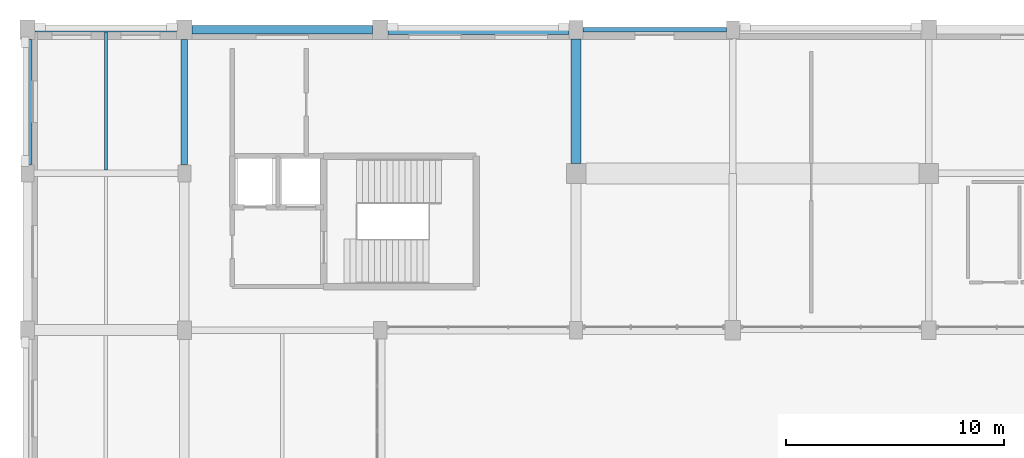
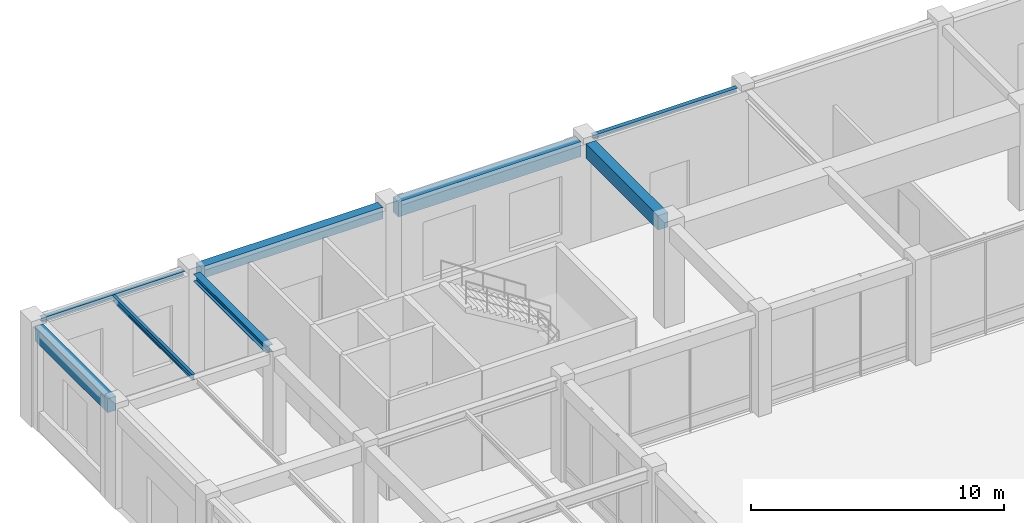
# One storey, part 26 of 64: 8 beams.
"""IFC4 building model written with IfcOpenShell, lengths in metres."""

from ifc_helpers import new_model, si_unit, direction, frame, origin, origin_2d, place, context, subcontext, project, spatial, rectangle, i_section, extrude, material, material_profile, profile_set, type_object, element, save


model = new_model("IFC4")

# Units and contexts
model_context = context("Model", 3, precision=1e-05, world=origin(), true_north=direction((0.0, 1.0)))
body_context = subcontext(model_context, "Body", "Model", "MODEL_VIEW")
ifc_project = project(units=[si_unit("LENGTHUNIT", "METRE"), si_unit("AREAUNIT", "SQUARE_METRE"), si_unit("VOLUMEUNIT", "CUBIC_METRE"), si_unit("PLANEANGLEUNIT", "RADIAN"), si_unit("MASSUNIT", "GRAM", prefix="KILO")], contexts=[model_context])

# Site, building, storey
site_placement = place(None, origin())
site = spatial("IfcSite", under=ifc_project, at=site_placement, CompositionType="ELEMENT")
building_placement = place(site_placement, origin())
building = spatial("IfcBuilding", under=site, at=building_placement, Name="Clarverna Civic Hall", CompositionType="ELEMENT")
storey_placement = place(building_placement, origin())
storey = spatial("IfcBuildingStorey", under=building, at=storey_placement, Name="L00", CompositionType="ELEMENT", Elevation=0.0)

# Beams
ifc_material_1 = material(Name="Steel S355", Category="steel")
ifc_material_profile_1 = material_profile(ifc_material_1, i_section(OverallWidth=0.219970703125, OverallDepth=0.2099609375, WebThickness=0.007080078125, FlangeThickness=0.010986328125, FilletRadius=0.01806640625, at=origin_2d()), Name="HEA 220")
ifc_profile_set_1 = profile_set([ifc_material_profile_1], Name="Steel S355")
beam_type_1 = type_object("IfcBeamType", Name="B-LN1", PredefinedType="LINTEL", material=ifc_profile_set_1)
beam_1_placement = place(storey_placement, frame((0.35009765625, 116.0, 4.715087890625), z_axis=(1.0, 0.0, 0.0), x_axis=(0.0, 1.0, 0.0)))
element("IfcBeam", 1, at=beam_1_placement, inside=storey, type_object=beam_type_1, Name="B-LN1-008", PredefinedType="LINTEL", context=body_context, shape_type="SweptSolid", body=[
    extrude(i_section(OverallWidth=0.219970703125, OverallDepth=0.2099609375, WebThickness=0.007080078125, FlangeThickness=0.010986328125, FilletRadius=0.01806640625, at=origin_2d()), origin(), (0.0, 0.0, 1.0), 6.5),
])
ifc_material_profile_2 = material_profile(ifc_material_1, i_section(OverallWidth=0.199951171875, OverallDepth=0.18994140625, WebThickness=0.006591796875, FlangeThickness=0.010009765625, FilletRadius=0.01806640625, at=origin_2d()), Name="HEA 200")
ifc_profile_set_2 = profile_set([ifc_material_profile_2], Name="Steel S355")
beam_type_2 = type_object("IfcBeamType", Name="B-LN2", PredefinedType="LINTEL", material=ifc_profile_set_2)
beam_2_placement = place(storey_placement, frame((25.52490234375, 116.0, 4.72509765625), z_axis=(1.0, 0.0, 0.0), x_axis=(0.0, 1.0, 0.0)))
element("IfcBeam", 2, at=beam_2_placement, inside=storey, type_object=beam_type_2, Name="B-LN2-009", PredefinedType="LINTEL", context=body_context, shape_type="SweptSolid", body=[
    extrude(i_section(OverallWidth=0.199951171875, OverallDepth=0.18994140625, WebThickness=0.006591796875, FlangeThickness=0.010009765625, FilletRadius=0.01806640625, at=origin_2d()), origin(), (0.0, 0.0, 1.0), 6.5751953125),
])
ifc_material_2 = material(Name="Concrete C35/45", Category="concrete")
ifc_material_profile_3 = material_profile(ifc_material_2, rectangle(XDim=0.449951171875, YDim=0.699951171875, at=origin_2d()), Name="RC 450x700")
ifc_profile_set_3 = profile_set([ifc_material_profile_3], Name="Concrete C35/45")
beam_type_3 = type_object("IfcBeamType", Name="B-RC4", PredefinedType="BEAM", material=ifc_profile_set_3)
beam_3_placement = place(storey_placement, frame((25.199951171875, 109.85009765625, 4.469970703125), z_axis=(0.0, 1.0, 0.0), x_axis=(-1.0, 0.0, 0.0)))
element("IfcBeam", 3, at=beam_3_placement, inside=storey, type_object=beam_type_3, Name="B-RC4-018", PredefinedType="BEAM", context=body_context, shape_type="SweptSolid", body=[
    extrude(rectangle(XDim=0.449951171875, YDim=0.699951171875, at=origin_2d()), origin(), (0.0, 0.0, 1.0), 5.724853515625),
])
ifc_material_profile_4 = material_profile(ifc_material_2, rectangle(XDim=0.419921875, YDim=0.719970703125, at=origin_2d()), Name="RC 420x720")
ifc_profile_set_4 = profile_set([ifc_material_profile_4], Name="Concrete C35/45")
beam_type_4 = type_object("IfcBeamType", Name="B-SP1", PredefinedType="SPANDREL", material=ifc_profile_set_4)
beam_4_placement = place(storey_placement, frame((16.550048828125, 116.0, 4.4599609375), z_axis=(1.0, 0.0, 0.0), x_axis=(0.0, 1.0, 0.0)))
element("IfcBeam", 4, at=beam_4_placement, inside=storey, type_object=beam_type_4, Name="B-SP1-041", PredefinedType="SPANDREL", context=body_context, shape_type="SweptSolid", body=[
    extrude(rectangle(XDim=0.419921875, YDim=0.719970703125, at=origin_2d()), origin(), (0.0, 0.0, 1.0), 8.324951171875),
])
ifc_material_profile_5 = material_profile(ifc_material_2, rectangle(XDim=0.3798828125, YDim=0.679931640625, at=origin_2d()), Name="RC 380x680")
ifc_profile_set_5 = profile_set([ifc_material_profile_5], Name="Concrete C35/45")
beam_type_5 = type_object("IfcBeamType", Name="B-SP2", PredefinedType="SPANDREL", material=ifc_profile_set_5)
beam_5_placement = place(storey_placement, frame((0.0, 109.800048828125, 4.47998046875), z_axis=(0.0, 1.0, 0.0), x_axis=(-1.0, 0.0, 0.0)))
element("IfcBeam", 5, at=beam_5_placement, inside=storey, type_object=beam_type_5, Name="B-SP2-045", PredefinedType="SPANDREL", context=body_context, shape_type="SweptSolid", body=[
    extrude(rectangle(XDim=0.3798828125, YDim=0.679931640625, at=origin_2d()), origin(), (0.0, 0.0, 1.0), 5.75),
])
ifc_material_profile_6 = material_profile(ifc_material_2, rectangle(XDim=0.39990234375, YDim=0.56005859375, at=origin_2d()), Name="RC 400x560")
ifc_profile_set_6 = profile_set([ifc_material_profile_6], Name="Concrete C35/45")
beam_type_6 = type_object("IfcBeamType", Name="B-SP4", PredefinedType="SPANDREL", material=ifc_profile_set_6)
beam_6_placement = place(storey_placement, frame((7.550048828125, 116.0, 4.5400390625), z_axis=(1.0, 0.0, 0.0), x_axis=(0.0, 1.0, 0.0)))
element("IfcBeam", 6, at=beam_6_placement, inside=storey, type_object=beam_type_6, Name="B-SP4-038", PredefinedType="SPANDREL", context=body_context, shape_type="SweptSolid", body=[
    extrude(rectangle(XDim=0.39990234375, YDim=0.56005859375, at=origin_2d()), origin(), (0.0, 0.0, 1.0), 8.300048828125),
])
ifc_material_profile_7 = material_profile(ifc_material_1, i_section(OverallWidth=0.300048828125, OverallDepth=0.35009765625, WebThickness=0.010009765625, FlangeThickness=0.017578125, FilletRadius=0.027099609375, at=origin_2d()), Name="HEA 360")
ifc_profile_set_7 = profile_set([ifc_material_profile_7], Name="Steel S355")
beam_type_7 = type_object("IfcBeamType", Name="B-ST7", PredefinedType="BEAM", material=ifc_profile_set_7)
beam_7_placement = place(storey_placement, frame((7.199951171875, 109.800048828125, 4.64501953125), z_axis=(0.0, 1.0, 0.0), x_axis=(-1.0, 0.0, 0.0)))
element("IfcBeam", 7, at=beam_7_placement, inside=storey, type_object=beam_type_7, Name="B-ST7-003", PredefinedType="BEAM", context=body_context, shape_type="SweptSolid", body=[
    extrude(i_section(OverallWidth=0.300048828125, OverallDepth=0.35009765625, WebThickness=0.010009765625, FlangeThickness=0.017578125, FilletRadius=0.027099609375, at=origin_2d()), origin(), (0.0, 0.0, 1.0), 5.75),
])
ifc_material_profile_8 = material_profile(ifc_material_1, i_section(OverallWidth=0.135009765625, OverallDepth=0.27001953125, WebThickness=0.006591796875, FlangeThickness=0.01025390625, FilletRadius=0.014892578125, at=origin_2d()), Name="IPE 270")
ifc_profile_set_8 = profile_set([ifc_material_profile_8], Name="Steel S355")
beam_type_8 = type_object("IfcBeamType", Name="J-ST4", PredefinedType="JOIST", material=ifc_profile_set_8)
beam_8_placement = place(storey_placement, frame((3.60009765625, 109.550048828125, 4.68505859375), z_axis=(0.0, 1.0, 0.0), x_axis=(-1.0, 0.0, 0.0)))
element("IfcBeam", 8, at=beam_8_placement, inside=storey, type_object=beam_type_8, Name="J-ST4-035", PredefinedType="JOIST", context=body_context, shape_type="SweptSolid", body=[
    extrude(i_section(OverallWidth=0.135009765625, OverallDepth=0.27001953125, WebThickness=0.006591796875, FlangeThickness=0.01025390625, FilletRadius=0.014892578125, at=origin_2d()), origin(), (0.0, 0.0, 1.0), 6.33984375),
])

save(model, "model.ifc")
